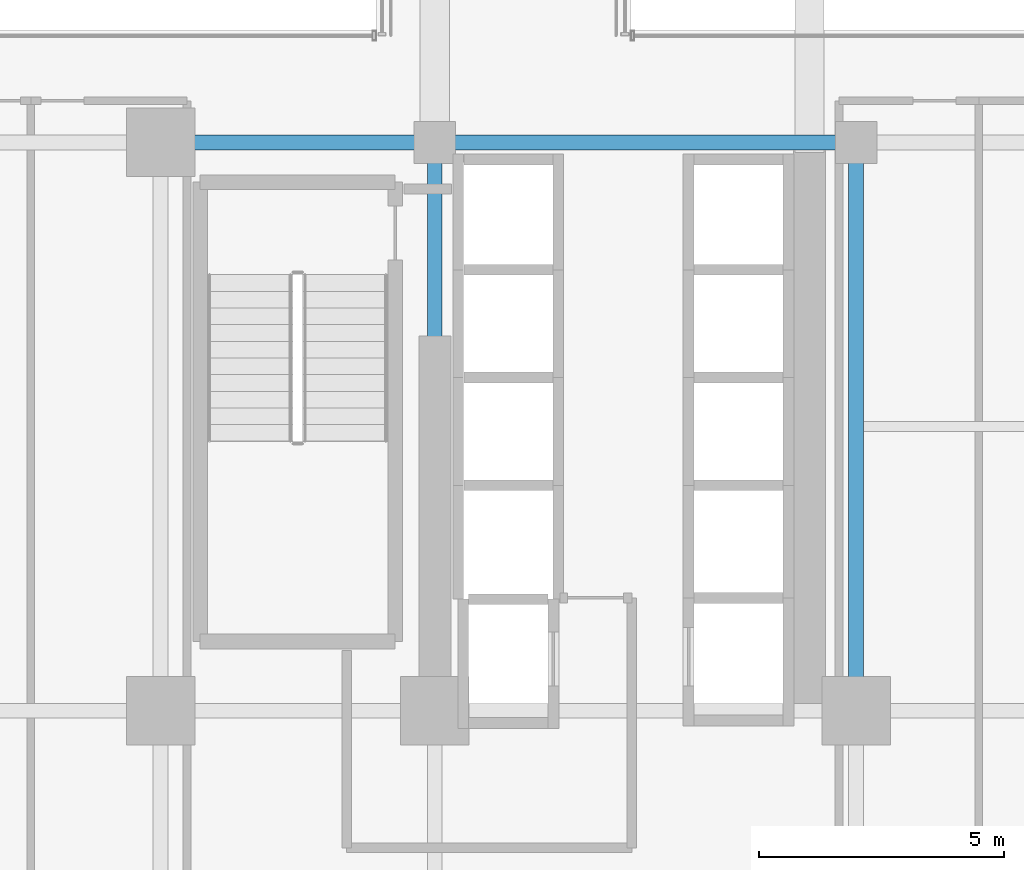
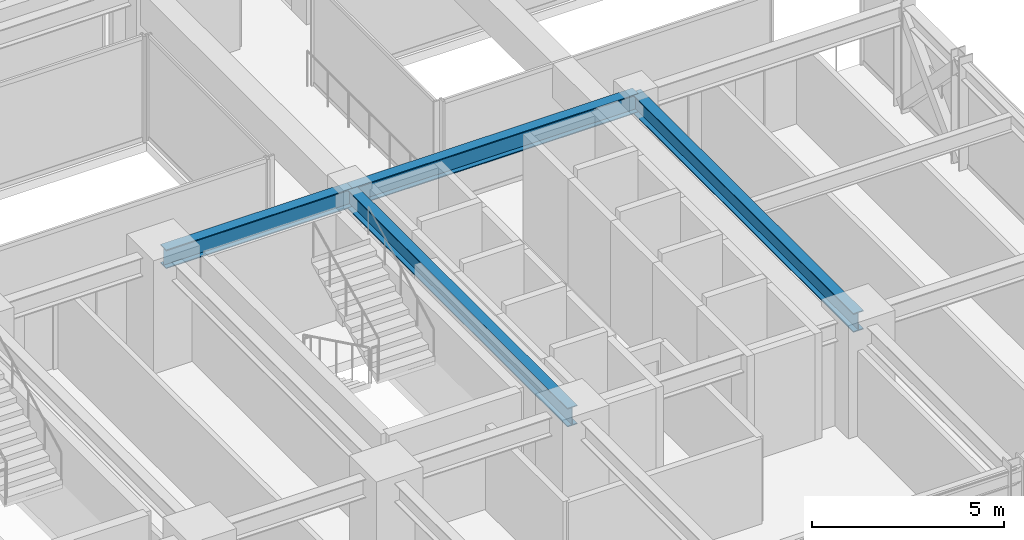
# One storey, part 15 of 37: 4 beams.
"""IFC4 building model written with IfcOpenShell, lengths in metres."""

from ifc_helpers import new_model, si_unit, direction, frame, origin, origin_2d, place, context, subcontext, project, spatial, i_section, extrude, source, transform, mapped, material, material_profile, profile_set, type_object, element, save


model = new_model("IFC4")

# Units and contexts
model_context = context("Model", 3, precision=1e-05, world=origin(), true_north=direction((0.0, 1.0)))
body_context = subcontext(model_context, "Body", "Model", "MODEL_VIEW")
ifc_project = project(units=[si_unit("LENGTHUNIT", "METRE"), si_unit("AREAUNIT", "SQUARE_METRE"), si_unit("VOLUMEUNIT", "CUBIC_METRE"), si_unit("PLANEANGLEUNIT", "RADIAN"), si_unit("MASSUNIT", "GRAM", prefix="KILO")], contexts=[model_context])

# Site, building, storey
site_placement = place(None, origin())
site = spatial("IfcSite", under=ifc_project, at=site_placement, CompositionType="ELEMENT")
building_placement = place(site_placement, origin())
building = spatial("IfcBuilding", under=site, at=building_placement, Name="Nahalor Promenade Grand Hotel", CompositionType="ELEMENT")
storey_placement = place(building_placement, frame((0.0, 0.0, 65.25)))
storey = spatial("IfcBuildingStorey", under=building, at=storey_placement, Name="L15", CompositionType="ELEMENT", Elevation=65.25)

# Beams
ifc_material = material(Name="Steel S355JR", Category="steel")
ifc_material_profile = material_profile(ifc_material, i_section(OverallWidth=0.3, OverallDepth=0.6, WebThickness=0.0155, FlangeThickness=0.03, at=origin_2d()), Name="HEB 600")
ifc_profile_set = profile_set([ifc_material_profile], Name="Steel S355JR")
beam_type = type_object("IfcBeamType", Name="Beam-Girder-HEB600", PredefinedType="BEAM", material=ifc_profile_set)
shared_shape_1 = source(origin(), body_context, "Body", "SweptSolid", [
    extrude(i_section(OverallWidth=0.3, OverallDepth=0.6, WebThickness=0.0155, FlangeThickness=0.03, at=origin_2d()), origin(), (0.0, 0.0, 1.0), 8.60009765625),
])
beam_1_placement = place(storey_placement, frame((8.39990234375, -5.39990234375, 3.070068359375), z_axis=(1.0, 0.0, 0.0), x_axis=(0.0, 1.0, 0.0)))
element("IfcBeam", 1, at=beam_1_placement, inside=storey, type_object=beam_type, Name="BM-L15-GX-1-5", PredefinedType="BEAM", context=body_context, shape_type="MappedRepresentation", body=[
    mapped(shared_shape_1, transform((0.0, 0.0, 0.0), scale=1.0)),
])
shared_shape_2 = source(origin(), body_context, "Body", "SweptSolid", [
    extrude(i_section(OverallWidth=0.3, OverallDepth=0.6, WebThickness=0.0155, FlangeThickness=0.03, at=origin_2d()), origin(), (0.0, 0.0, 1.0), 5.599853515625),
])
beam_2_placement = place(storey_placement, frame((2.800048828125, -5.39990234375, 3.070068359375), z_axis=(1.0, 0.0, 0.0), x_axis=(0.0, 1.0, 0.0)))
element("IfcBeam", 2, at=beam_2_placement, inside=storey, type_object=beam_type, Name="BM-L15-GX-1-4", PredefinedType="BEAM", context=body_context, shape_type="MappedRepresentation", body=[
    mapped(shared_shape_2, transform((0.0, 0.0, 0.0), scale=1.0)),
])
shared_shape_3 = source(origin(), body_context, "Body", "SweptSolid", [
    extrude(i_section(OverallWidth=0.3, OverallDepth=0.6, WebThickness=0.0155, FlangeThickness=0.03, at=origin_2d()), origin(), (0.0, 0.0, 1.0), 11.60009765625),
])
for number, where, z_axis, x_axis, name in (
    (3, (8.39990234375, -17.0, 3.070068359375), (0.0, 1.0, 0.0), (-1.0, 0.0, 0.0), "BM-L15-GY-4-1"),
    (4, (17.0, -17.0, 3.070068359375), (0.0, 1.0, 0.0), (-1.0, 0.0, 0.0), "BM-L15-GY-5-1"),
):
    element("IfcBeam", number, at=place(storey_placement, frame(where, z_axis=z_axis, x_axis=x_axis)), inside=storey, type_object=beam_type, Name=name, PredefinedType="BEAM", context=body_context, shape_type="MappedRepresentation", body=[
        mapped(shared_shape_3, transform((0.0, 0.0, 0.0), scale=1.0)),
    ])

save(model, "model.ifc")
